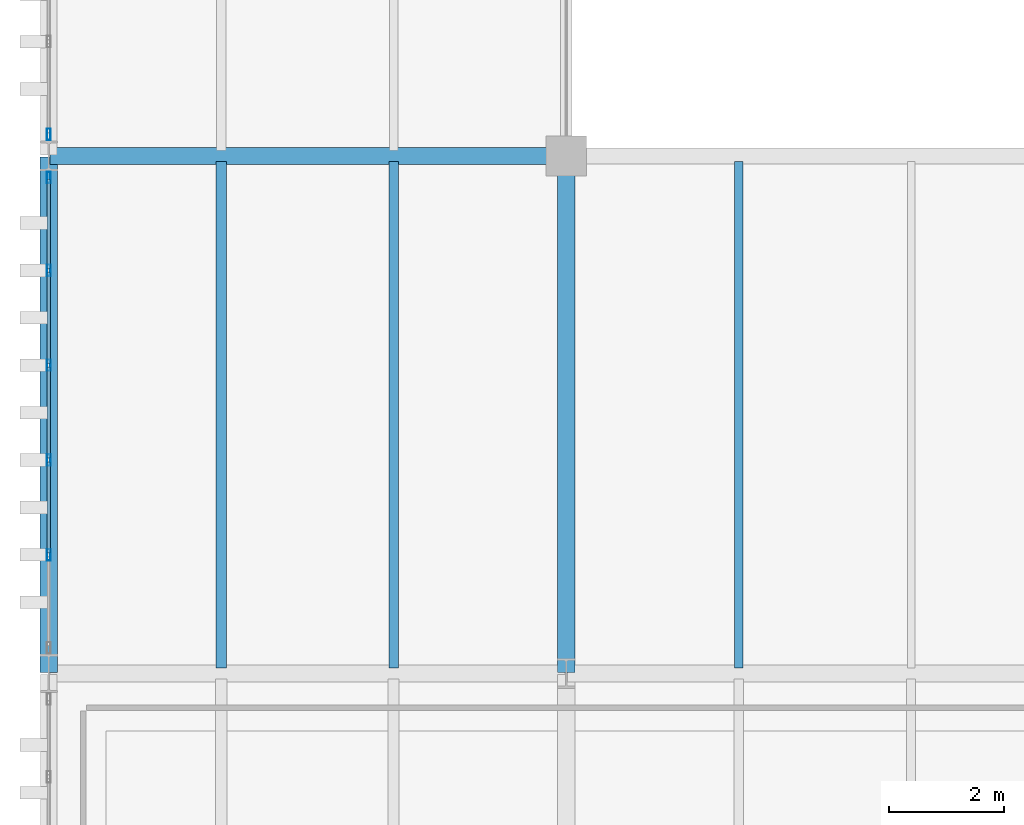
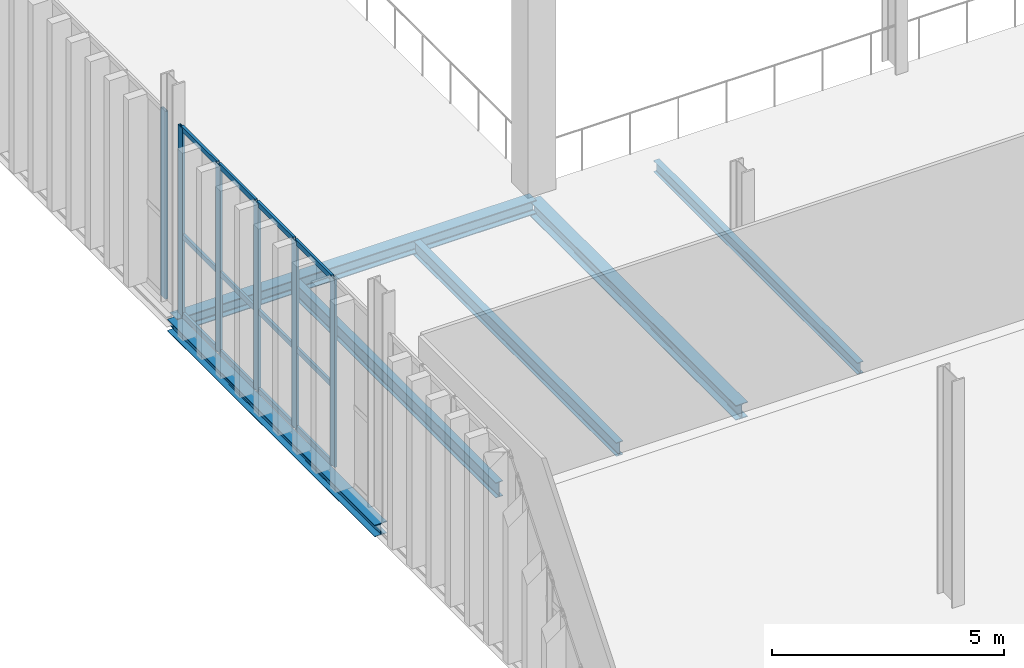
# One storey, part 51 of 211: 18 members, 6 beams, 2 elements without a shape of their own.
"""IFC4 building model written with IfcOpenShell, lengths in metres."""

from ifc_helpers import new_model, si_unit, direction, frame, origin, origin_2d, place, context, subcontext, project, spatial, hollow_rectangle, i_section, extrude, material, layer, layer_set, material_profile, profile_set, type_object, element, aggregate, save


model = new_model("IFC4")

# Units and contexts
model_context = context("Model", 3, precision=1e-05, world=origin(), true_north=direction((0.0, 1.0)))
body_context = subcontext(model_context, "Body", "Model", "MODEL_VIEW")
ifc_project = project(units=[si_unit("LENGTHUNIT", "METRE"), si_unit("AREAUNIT", "SQUARE_METRE"), si_unit("VOLUMEUNIT", "CUBIC_METRE"), si_unit("PLANEANGLEUNIT", "RADIAN"), si_unit("MASSUNIT", "GRAM", prefix="KILO")], contexts=[model_context])

# Site, building, storey
site_placement = place(None, origin())
site = spatial("IfcSite", under=ifc_project, at=site_placement, CompositionType="ELEMENT")
building_placement = place(site_placement, origin())
building = spatial("IfcBuilding", under=site, at=building_placement, Name="Barlavento Convention Centre", CompositionType="ELEMENT")
storey_placement = place(building_placement, frame((0.0, 0.0, 6.0)))
storey = spatial("IfcBuildingStorey", under=building, at=storey_placement, Name="L01", CompositionType="ELEMENT", Elevation=6.0)

# Curtain wall, members
ifc_material_1 = material(Name="Powder-coated aluminium and Low-E glass", Category="aluminium")
ifc_layer = layer(ifc_material_1, 0.179931640625)
ifc_layer_set = layer_set([ifc_layer], Name="ARC-CW-EXH-L01")
curtain_wall_type = type_object("IfcCurtainWallType", Name="ARC-CW-EXH-L01", PredefinedType="NOTDEFINED", material=ifc_layer_set)
curtain_wall_1_placement = place(storey_placement, origin())
curtain_wall_1 = element("IfcCurtainWall", 1, at=curtain_wall_1_placement, inside=storey, type_object=curtain_wall_type, Name="L01 unitised curtain wall CW04", PredefinedType="NOTDEFINED")
ifc_material_2 = material(Name="Powder-coated aluminium", Category="aluminium")
ifc_material_profile_1 = material_profile(ifc_material_2, hollow_rectangle(XDim=0.06494140625, YDim=0.199951171875, WallThickness=0.0048828125, at=origin_2d()), Name="AL-MULL 65x200x5")
ifc_profile_set_1 = profile_set([ifc_material_profile_1], Name="Powder-coated aluminium")
member_type_1 = type_object("IfcMemberType", Name="ARC-CWM-65X200", PredefinedType="MULLION", material=ifc_profile_set_1)
member_1_placement = place(storey_placement, frame((0.0, 56.062744140625, 0.0), z_axis=(0.0, 0.0, 1.0), x_axis=(-1.0, 0.0, 0.0)))
member_1 = element("IfcMember", 2, at=member_1_placement, type_object=member_type_1, Name="CW04 mullion 2", PredefinedType="MULLION", context=body_context, shape_type="SweptSolid", body=[
    extrude(hollow_rectangle(XDim=0.06494140625, YDim=0.199951171875, WallThickness=0.0048828125, at=origin_2d()), origin(), (0.0, 0.0, 1.0), 4.949951171875),
])
member_2_placement = place(storey_placement, frame((0.0, 57.711669921875, 0.0), z_axis=(0.0, 0.0, 1.0), x_axis=(-1.0, 0.0, 0.0)))
member_2 = element("IfcMember", 3, at=member_2_placement, type_object=member_type_1, Name="CW04 mullion 3", PredefinedType="MULLION", context=body_context, shape_type="SweptSolid", body=[
    extrude(hollow_rectangle(XDim=0.06494140625, YDim=0.199951171875, WallThickness=0.0048828125, at=origin_2d()), origin(), (0.0, 0.0, 1.0), 4.949951171875),
])
member_3_placement = place(storey_placement, frame((0.0, 59.3603515625, 0.0), z_axis=(0.0, 0.0, 1.0), x_axis=(-1.0, 0.0, 0.0)))
member_3 = element("IfcMember", 4, at=member_3_placement, type_object=member_type_1, Name="CW04 mullion 4", PredefinedType="MULLION", context=body_context, shape_type="SweptSolid", body=[
    extrude(hollow_rectangle(XDim=0.06494140625, YDim=0.199951171875, WallThickness=0.0048828125, at=origin_2d()), origin(), (0.0, 0.0, 1.0), 4.949951171875),
])
member_4_placement = place(storey_placement, frame((0.0, 61.00927734375, 0.0), z_axis=(0.0, 0.0, 1.0), x_axis=(-1.0, 0.0, 0.0)))
member_4 = element("IfcMember", 5, at=member_4_placement, type_object=member_type_1, Name="CW04 mullion 5", PredefinedType="MULLION", context=body_context, shape_type="SweptSolid", body=[
    extrude(hollow_rectangle(XDim=0.06494140625, YDim=0.199951171875, WallThickness=0.0048828125, at=origin_2d()), origin(), (0.0, 0.0, 1.0), 4.949951171875),
])
member_5_placement = place(storey_placement, frame((0.0, 62.62548828125, 0.0), z_axis=(0.0, 0.0, 1.0), x_axis=(-1.0, 0.0, 0.0)))
member_5 = element("IfcMember", 6, at=member_5_placement, type_object=member_type_1, Name="CW04 mullion 6", PredefinedType="MULLION", context=body_context, shape_type="SweptSolid", body=[
    extrude(hollow_rectangle(XDim=0.06494140625, YDim=0.199951171875, WallThickness=0.0048828125, at=origin_2d()), origin(), (0.0, 0.0, 1.0), 4.949951171875),
])

# Curtain wall, member
curtain_wall_2_placement = place(storey_placement, origin())
curtain_wall_2 = element("IfcCurtainWall", 7, at=curtain_wall_2_placement, inside=storey, type_object=curtain_wall_type, Name="L01 unitised curtain wall CW04", PredefinedType="NOTDEFINED")
member_6_placement = place(storey_placement, frame((0.0, 63.37451171875, 0.0), z_axis=(0.0, 0.0, 1.0), x_axis=(-1.0, 0.0, 0.0)))
member_6 = element("IfcMember", 8, at=member_6_placement, type_object=member_type_1, Name="CW04 mullion 1", PredefinedType="MULLION", context=body_context, shape_type="SweptSolid", body=[
    extrude(hollow_rectangle(XDim=0.06494140625, YDim=0.199951171875, WallThickness=0.0048828125, at=origin_2d()), origin(), (0.0, 0.0, 1.0), 4.949951171875),
])
aggregate(curtain_wall_2, [member_6])

# Member
ifc_material_profile_2 = material_profile(ifc_material_2, hollow_rectangle(XDim=0.06005859375, YDim=0.139892578125, WallThickness=0.00390625, at=origin_2d()), Name="AL-TRAN 60x140x4")
ifc_profile_set_2 = profile_set([ifc_material_profile_2], Name="Powder-coated aluminium")
member_type_2 = type_object("IfcMemberType", Name="ARC-CWT-60X140", PredefinedType="USERDEFINED", material=ifc_profile_set_2)
member_7_placement = place(storey_placement, frame((0.0, 56.09521484375, 0.030029296875), z_axis=(0.0, 1.0, 0.0), x_axis=(-1.0, 0.0, 0.0)))
member_7 = element("IfcMember", 9, at=member_7_placement, type_object=member_type_2, Name="CW04 transom 2.1", ObjectType="TRANSOM", PredefinedType="USERDEFINED", context=body_context, shape_type="SweptSolid", body=[
    extrude(hollow_rectangle(XDim=0.06005859375, YDim=0.139892578125, WallThickness=0.00390625, at=origin_2d()), origin(), (0.0, 0.0, 1.0), 1.583984375),
])

member_8_placement = place(storey_placement, frame((0.0, 56.09521484375, 2.10009765625), z_axis=(0.0, 1.0, 0.0), x_axis=(-1.0, 0.0, 0.0)))
member_8 = element("IfcMember", 10, at=member_8_placement, type_object=member_type_2, Name="CW04 transom 2.2", ObjectType="TRANSOM", PredefinedType="USERDEFINED", context=body_context, shape_type="SweptSolid", body=[
    extrude(hollow_rectangle(XDim=0.06005859375, YDim=0.139892578125, WallThickness=0.00390625, at=origin_2d()), origin(), (0.0, 0.0, 1.0), 1.583984375),
])

member_9_placement = place(storey_placement, frame((0.0, 56.09521484375, 4.919921875), z_axis=(0.0, 1.0, 0.0), x_axis=(-1.0, 0.0, 0.0)))
member_9 = element("IfcMember", 11, at=member_9_placement, type_object=member_type_2, Name="CW04 transom 2.3", ObjectType="TRANSOM", PredefinedType="USERDEFINED", context=body_context, shape_type="SweptSolid", body=[
    extrude(hollow_rectangle(XDim=0.06005859375, YDim=0.139892578125, WallThickness=0.00390625, at=origin_2d()), origin(), (0.0, 0.0, 1.0), 1.583984375),
])

member_10_placement = place(storey_placement, frame((0.0, 57.744140625, 0.030029296875), z_axis=(0.0, 1.0, 0.0), x_axis=(-1.0, 0.0, 0.0)))
member_10 = element("IfcMember", 12, at=member_10_placement, type_object=member_type_2, Name="CW04 transom 3.1", ObjectType="TRANSOM", PredefinedType="USERDEFINED", context=body_context, shape_type="SweptSolid", body=[
    extrude(hollow_rectangle(XDim=0.06005859375, YDim=0.139892578125, WallThickness=0.00390625, at=origin_2d()), origin(), (0.0, 0.0, 1.0), 1.583740234375),
])

member_11_placement = place(storey_placement, frame((0.0, 57.744140625, 2.10009765625), z_axis=(0.0, 1.0, 0.0), x_axis=(-1.0, 0.0, 0.0)))
member_11 = element("IfcMember", 13, at=member_11_placement, type_object=member_type_2, Name="CW04 transom 3.2", ObjectType="TRANSOM", PredefinedType="USERDEFINED", context=body_context, shape_type="SweptSolid", body=[
    extrude(hollow_rectangle(XDim=0.06005859375, YDim=0.139892578125, WallThickness=0.00390625, at=origin_2d()), origin(), (0.0, 0.0, 1.0), 1.583740234375),
])

member_12_placement = place(storey_placement, frame((0.0, 57.744140625, 4.919921875), z_axis=(0.0, 1.0, 0.0), x_axis=(-1.0, 0.0, 0.0)))
member_12 = element("IfcMember", 14, at=member_12_placement, type_object=member_type_2, Name="CW04 transom 3.3", ObjectType="TRANSOM", PredefinedType="USERDEFINED", context=body_context, shape_type="SweptSolid", body=[
    extrude(hollow_rectangle(XDim=0.06005859375, YDim=0.139892578125, WallThickness=0.00390625, at=origin_2d()), origin(), (0.0, 0.0, 1.0), 1.583740234375),
])

member_13_placement = place(storey_placement, frame((0.0, 59.392822265625, 0.030029296875), z_axis=(0.0, 1.0, 0.0), x_axis=(-1.0, 0.0, 0.0)))
member_13 = element("IfcMember", 15, at=member_13_placement, type_object=member_type_2, Name="CW04 transom 4.1", ObjectType="TRANSOM", PredefinedType="USERDEFINED", context=body_context, shape_type="SweptSolid", body=[
    extrude(hollow_rectangle(XDim=0.06005859375, YDim=0.139892578125, WallThickness=0.00390625, at=origin_2d()), origin(), (0.0, 0.0, 1.0), 1.583984375),
])

member_14_placement = place(storey_placement, frame((0.0, 59.392822265625, 2.10009765625), z_axis=(0.0, 1.0, 0.0), x_axis=(-1.0, 0.0, 0.0)))
member_14 = element("IfcMember", 16, at=member_14_placement, type_object=member_type_2, Name="CW04 transom 4.2", ObjectType="TRANSOM", PredefinedType="USERDEFINED", context=body_context, shape_type="SweptSolid", body=[
    extrude(hollow_rectangle(XDim=0.06005859375, YDim=0.139892578125, WallThickness=0.00390625, at=origin_2d()), origin(), (0.0, 0.0, 1.0), 1.583984375),
])

member_15_placement = place(storey_placement, frame((0.0, 59.392822265625, 4.919921875), z_axis=(0.0, 1.0, 0.0), x_axis=(-1.0, 0.0, 0.0)))
member_15 = element("IfcMember", 17, at=member_15_placement, type_object=member_type_2, Name="CW04 transom 4.3", ObjectType="TRANSOM", PredefinedType="USERDEFINED", context=body_context, shape_type="SweptSolid", body=[
    extrude(hollow_rectangle(XDim=0.06005859375, YDim=0.139892578125, WallThickness=0.00390625, at=origin_2d()), origin(), (0.0, 0.0, 1.0), 1.583984375),
])

member_16_placement = place(storey_placement, frame((0.0, 61.041748046875, 0.030029296875), z_axis=(0.0, 1.0, 0.0), x_axis=(-1.0, 0.0, 0.0)))
member_16 = element("IfcMember", 18, at=member_16_placement, type_object=member_type_2, Name="CW04 transom 5.1", ObjectType="TRANSOM", PredefinedType="USERDEFINED", context=body_context, shape_type="SweptSolid", body=[
    extrude(hollow_rectangle(XDim=0.06005859375, YDim=0.139892578125, WallThickness=0.00390625, at=origin_2d()), origin(), (0.0, 0.0, 1.0), 1.55126953125),
])

member_17_placement = place(storey_placement, frame((0.0, 61.041748046875, 2.10009765625), z_axis=(0.0, 1.0, 0.0), x_axis=(-1.0, 0.0, 0.0)))
member_17 = element("IfcMember", 19, at=member_17_placement, type_object=member_type_2, Name="CW04 transom 5.2", ObjectType="TRANSOM", PredefinedType="USERDEFINED", context=body_context, shape_type="SweptSolid", body=[
    extrude(hollow_rectangle(XDim=0.06005859375, YDim=0.139892578125, WallThickness=0.00390625, at=origin_2d()), origin(), (0.0, 0.0, 1.0), 1.55126953125),
])

member_18_placement = place(storey_placement, frame((0.0, 61.041748046875, 4.919921875), z_axis=(0.0, 1.0, 0.0), x_axis=(-1.0, 0.0, 0.0)))
member_18 = element("IfcMember", 20, at=member_18_placement, type_object=member_type_2, Name="CW04 transom 5.3", ObjectType="TRANSOM", PredefinedType="USERDEFINED", context=body_context, shape_type="SweptSolid", body=[
    extrude(hollow_rectangle(XDim=0.06005859375, YDim=0.139892578125, WallThickness=0.00390625, at=origin_2d()), origin(), (0.0, 0.0, 1.0), 1.55126953125),
])

aggregate(curtain_wall_1, [member_1, member_2, member_3, member_4, member_5, member_7, member_8, member_9, member_10, member_11, member_12, member_13, member_14, member_15, member_16, member_17, member_18])

# Beams
ifc_material_3 = material(Name="Steel S355", Category="steel")
ifc_material_profile_3 = material_profile(ifc_material_3, i_section(OverallWidth=0.14990234375, OverallDepth=0.300048828125, WebThickness=0.007080078125, FlangeThickness=0.0107421875, FilletRadius=0.014892578125, at=origin_2d()), Name="IPE 300")
ifc_profile_set_3 = profile_set([ifc_material_profile_3], Name="Steel S355")
beam_type_1 = type_object("IfcBeamType", Name="STR-BM-JST-IPE300", PredefinedType="JOIST", material=ifc_profile_set_3)
beam_1_placement = place(storey_placement, frame((12.0, 54.094970703125, -0.449951171875), z_axis=(0.0, 1.0, 0.0), x_axis=(-1.0, 0.0, 0.0)))
element("IfcBeam", 21, at=beam_1_placement, inside=storey, type_object=beam_type_1, Name="L01 composite floor joist SJ07", PredefinedType="JOIST", context=body_context, shape_type="SweptSolid", body=[
    extrude(i_section(OverallWidth=0.14990234375, OverallDepth=0.300048828125, WebThickness=0.007080078125, FlangeThickness=0.0107421875, FilletRadius=0.014892578125, at=origin_2d()), origin(), (0.0, 0.0, 1.0), 8.81005859375),
])
ifc_material_profile_4 = material_profile(ifc_material_3, i_section(OverallWidth=0.169921875, OverallDepth=0.360107421875, WebThickness=0.008056640625, FlangeThickness=0.0126953125, FilletRadius=0.01806640625, at=origin_2d()), Name="IPE 360")
ifc_profile_set_4 = profile_set([ifc_material_profile_4], Name="Steel S355")
beam_type_2 = type_object("IfcBeamType", Name="STR-BM-JST-IPE360", PredefinedType="JOIST", material=ifc_profile_set_4)
beam_2_placement = place(storey_placement, frame((6.0, 54.094970703125, -0.47998046875), z_axis=(0.0, 1.0, 0.0), x_axis=(-1.0, 0.0, 0.0)))
element("IfcBeam", 22, at=beam_2_placement, inside=storey, type_object=beam_type_2, Name="L01 composite floor joist SJ05", PredefinedType="JOIST", context=body_context, shape_type="SweptSolid", body=[
    extrude(i_section(OverallWidth=0.169921875, OverallDepth=0.360107421875, WebThickness=0.008056640625, FlangeThickness=0.0126953125, FilletRadius=0.01806640625, at=origin_2d()), origin(), (0.0, 0.0, 1.0), 8.81005859375),
])
ifc_material_profile_5 = material_profile(ifc_material_3, i_section(OverallWidth=0.179931640625, OverallDepth=0.39990234375, WebThickness=0.008544921875, FlangeThickness=0.013427734375, FilletRadius=0.02099609375, at=origin_2d()), Name="IPE 400")
ifc_profile_set_5 = profile_set([ifc_material_profile_5], Name="Steel S355")
beam_type_3 = type_object("IfcBeamType", Name="STR-BM-JST-IPE400", PredefinedType="JOIST", material=ifc_profile_set_5)
beam_3_placement = place(storey_placement, frame((3.0, 54.094970703125, -0.5), z_axis=(0.0, 1.0, 0.0), x_axis=(-1.0, 0.0, 0.0)))
element("IfcBeam", 23, at=beam_3_placement, inside=storey, type_object=beam_type_3, Name="L01 composite floor joist SJ04", PredefinedType="JOIST", context=body_context, shape_type="SweptSolid", body=[
    extrude(i_section(OverallWidth=0.179931640625, OverallDepth=0.39990234375, WebThickness=0.008544921875, FlangeThickness=0.013427734375, FilletRadius=0.02099609375, at=origin_2d()), origin(), (0.0, 0.0, 1.0), 8.81005859375),
])
ifc_material_profile_6 = material_profile(ifc_material_3, i_section(OverallWidth=0.300048828125, OverallDepth=0.389892578125, WebThickness=0.010986328125, FlangeThickness=0.01904296875, FilletRadius=0.027099609375, at=origin_2d()), Name="HEA 400")
ifc_profile_set_6 = profile_set([ifc_material_profile_6], Name="Steel S355")
beam_type_4 = type_object("IfcBeamType", Name="STR-BM-PRI-HEA400", PredefinedType="BEAM", material=ifc_profile_set_6)
beam_4_placement = place(storey_placement, frame((9.0, 54.02001953125, -0.4951171875), z_axis=(0.0, 1.0, 0.0), x_axis=(-1.0, 0.0, 0.0)))
element("IfcBeam", 24, at=beam_4_placement, inside=storey, type_object=beam_type_4, Name="L01 grid girder BG22", PredefinedType="BEAM", context=body_context, shape_type="SweptSolid", body=[
    extrude(i_section(OverallWidth=0.300048828125, OverallDepth=0.389892578125, WebThickness=0.010986328125, FlangeThickness=0.01904296875, FilletRadius=0.027099609375, at=origin_2d()), origin(), (0.0, 0.0, 1.0), 8.9599609375),
])
ifc_material_profile_7 = material_profile(ifc_material_3, i_section(OverallWidth=0.300048828125, OverallDepth=0.360107421875, WebThickness=0.012451171875, FlangeThickness=0.0224609375, FilletRadius=0.027099609375, at=origin_2d()), Name="HEB 360")
ifc_profile_set_7 = profile_set([ifc_material_profile_7], Name="Steel S355")
beam_type_5 = type_object("IfcBeamType", Name="STR-BM-PRI-HEB360", PredefinedType="BEAM", material=ifc_profile_set_7)
beam_5_placement = place(storey_placement, frame((0.02001953125, 63.0, -0.4599609375), z_axis=(1.0, 0.0, 0.0), x_axis=(0.0, 1.0, 0.0)))
element("IfcBeam", 25, at=beam_5_placement, inside=storey, type_object=beam_type_5, Name="L01 primary girder BG12", PredefinedType="BEAM", context=body_context, shape_type="SweptSolid", body=[
    extrude(i_section(OverallWidth=0.300048828125, OverallDepth=0.360107421875, WebThickness=0.012451171875, FlangeThickness=0.0224609375, FilletRadius=0.027099609375, at=origin_2d()), origin(), (0.0, 0.0, 1.0), 8.9599609375),
])
ifc_material_profile_8 = material_profile(ifc_material_3, i_section(OverallWidth=0.300048828125, OverallDepth=0.31005859375, WebThickness=0.009033203125, FlangeThickness=0.015380859375, FilletRadius=0.027099609375, at=origin_2d()), Name="HEA 320")
ifc_profile_set_8 = profile_set([ifc_material_profile_8], Name="Steel S355")
beam_type_6 = type_object("IfcBeamType", Name="STR-BM-SPN-HEA320", PredefinedType="SPANDREL", material=ifc_profile_set_8)
beam_6_placement = place(storey_placement, frame((0.0, 54.02001953125, -0.455078125), z_axis=(0.0, 1.0, 0.0), x_axis=(-1.0, 0.0, 0.0)))
element("IfcBeam", 26, at=beam_6_placement, inside=storey, type_object=beam_type_6, Name="L01 grid girder SP01", PredefinedType="SPANDREL", context=body_context, shape_type="SweptSolid", body=[
    extrude(i_section(OverallWidth=0.300048828125, OverallDepth=0.31005859375, WebThickness=0.009033203125, FlangeThickness=0.015380859375, FilletRadius=0.027099609375, at=origin_2d()), origin(), (0.0, 0.0, 1.0), 8.9599609375),
])

save(model, "model.ifc")
